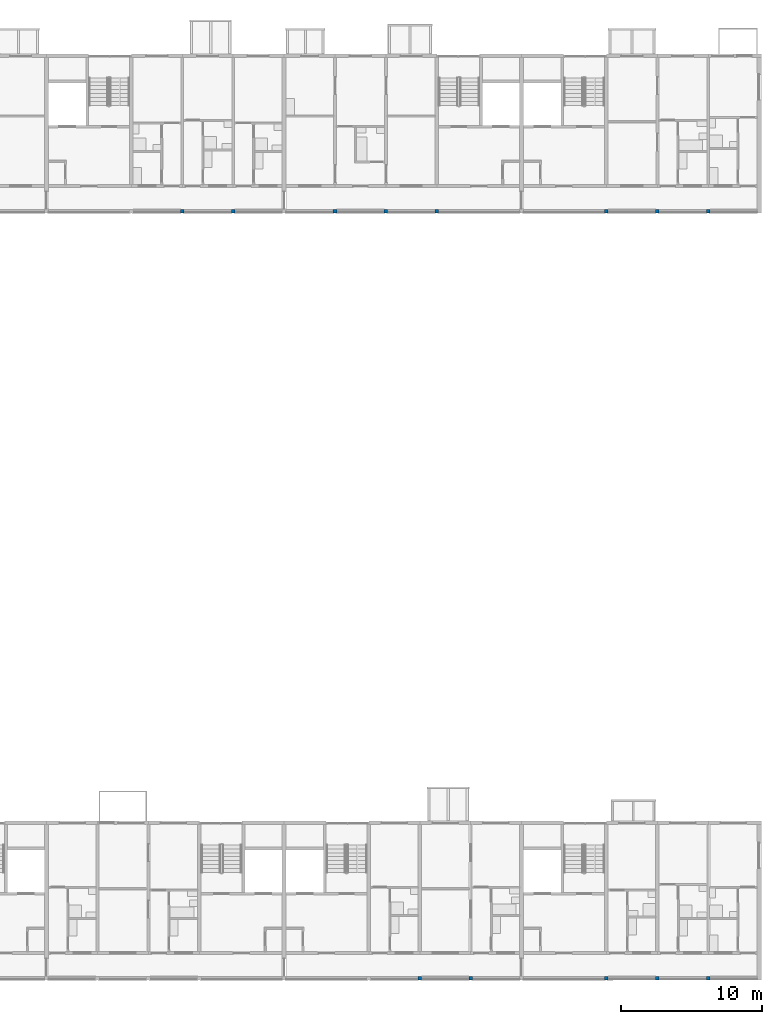
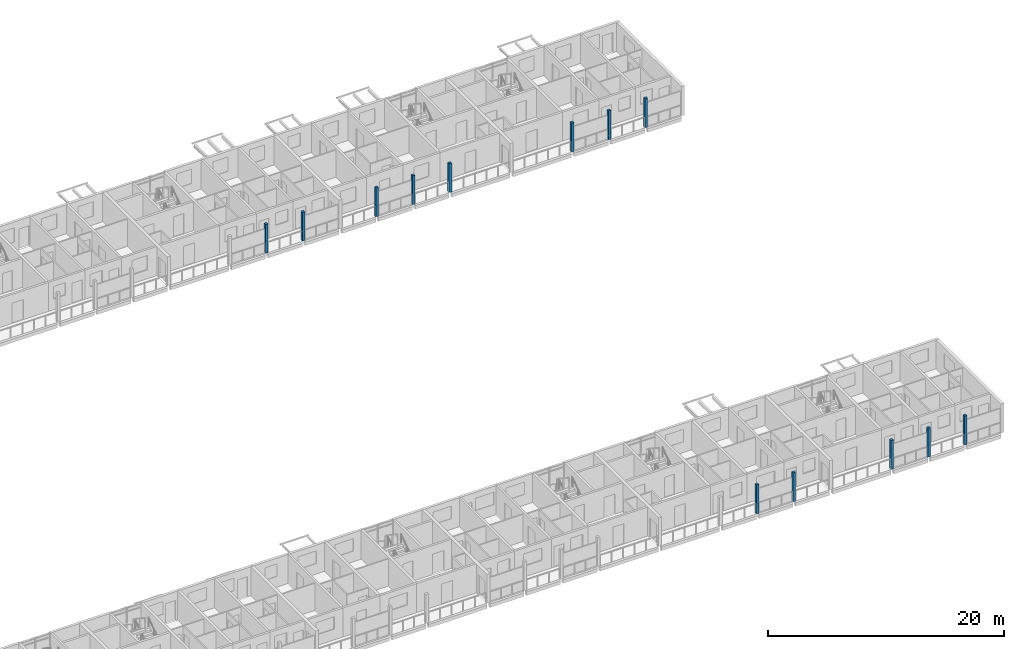
# One storey, part 4 of 99: 13 columns.
"""IFC4 building model written with IfcOpenShell, lengths in metres."""

from ifc_helpers import new_model, si_unit, direction, frame, origin, origin_2d, place, context, subcontext, project, spatial, rectangle, extrude, material, material_profile, profile_set, type_object, element, save


model = new_model("IFC4")

# Units and contexts
model_context = context("Model", 3, precision=1e-05, world=origin(), true_north=direction((0.0, 1.0)))
body_context = subcontext(model_context, "Body", "Model", "MODEL_VIEW")
ifc_project = project(units=[si_unit("LENGTHUNIT", "METRE"), si_unit("AREAUNIT", "SQUARE_METRE"), si_unit("VOLUMEUNIT", "CUBIC_METRE"), si_unit("PLANEANGLEUNIT", "RADIAN"), si_unit("MASSUNIT", "GRAM", prefix="KILO")], contexts=[model_context])

# Site, building, storey
site_placement = place(None, origin())
site = spatial("IfcSite", under=ifc_project, at=site_placement, CompositionType="ELEMENT")
building_placement = place(site_placement, origin())
building = spatial("IfcBuilding", under=site, at=building_placement, Name="Ridgestep Commons", CompositionType="ELEMENT")
storey_placement = place(building_placement, frame((0.0, 0.0, 15.0)))
storey = spatial("IfcBuildingStorey", under=building, at=storey_placement, Name="L05", CompositionType="ELEMENT", Elevation=15.0)

# Columns
ifc_material = material(Name="Precast concrete C40/50", Category="concrete")
ifc_material_profile = material_profile(ifc_material, rectangle(XDim=0.25, YDim=0.25, at=origin_2d()), Name="PC 250x250")
ifc_profile_set = profile_set([ifc_material_profile], Name="Precast concrete C40/50")
column_type = type_object("IfcColumnType", Name="Loggia column 250 x 250", PredefinedType="COLUMN", material=ifc_profile_set)
for number, where, z_axis, x_axis, name in (
    (1, (206.800048828125, 66.125, 0.0), (0.0, 0.0, 1.0), (1.0, 0.0, 0.0), "Loggia column C L05"),
    (2, (210.39990234375, 66.125, 0.0), (0.0, 0.0, 1.0), (1.0, 0.0, 0.0), "Loggia column C L05"),
    (3, (217.60009765625, 66.125, 0.0), (0.0, 0.0, 1.0), (1.0, 0.0, 0.0), "Loggia column C L05"),
    (4, (221.199951171875, 66.125, 0.0), (0.0, 0.0, 1.0), (1.0, 0.0, 0.0), "Loggia column C L05"),
    (5, (224.800048828125, 66.125, 0.0), (0.0, 0.0, 1.0), (1.0, 0.0, 0.0), "Loggia column C L05"),
    (6, (236.800048828125, 66.125, 0.0), (0.0, 0.0, 1.0), (1.0, 0.0, 0.0), "Loggia column C L05"),
    (7, (240.39990234375, 66.125, 0.0), (0.0, 0.0, 1.0), (1.0, 0.0, 0.0), "Loggia column C L05"),
    (8, (244.0, 66.125, 0.0), (0.0, 0.0, 1.0), (1.0, 0.0, 0.0), "Loggia column C L05"),
    (9, (223.60009765625, 11.875, 0.0), (0.0, 0.0, 1.0), (1.0, 0.0, 0.0), "Loggia column D L05"),
    (10, (227.199951171875, 11.875, 0.0), (0.0, 0.0, 1.0), (1.0, 0.0, 0.0), "Loggia column D L05"),
    (11, (236.800048828125, 11.875, 0.0), (0.0, 0.0, 1.0), (1.0, 0.0, 0.0), "Loggia column D L05"),
    (12, (240.39990234375, 11.875, 0.0), (0.0, 0.0, 1.0), (1.0, 0.0, 0.0), "Loggia column D L05"),
    (13, (244.0, 11.875, 0.0), (0.0, 0.0, 1.0), (1.0, 0.0, 0.0), "Loggia column D L05"),
):
    element("IfcColumn", number, at=place(storey_placement, frame(where, z_axis=z_axis, x_axis=x_axis)), inside=storey, type_object=column_type, Name=name, PredefinedType="COLUMN", context=body_context, shape_type="SweptSolid", body=[
        extrude(rectangle(XDim=0.25, YDim=0.25, at=origin_2d()), origin(), (0.0, 0.0, 1.0), 3.0),
    ])

save(model, "model.ifc")
